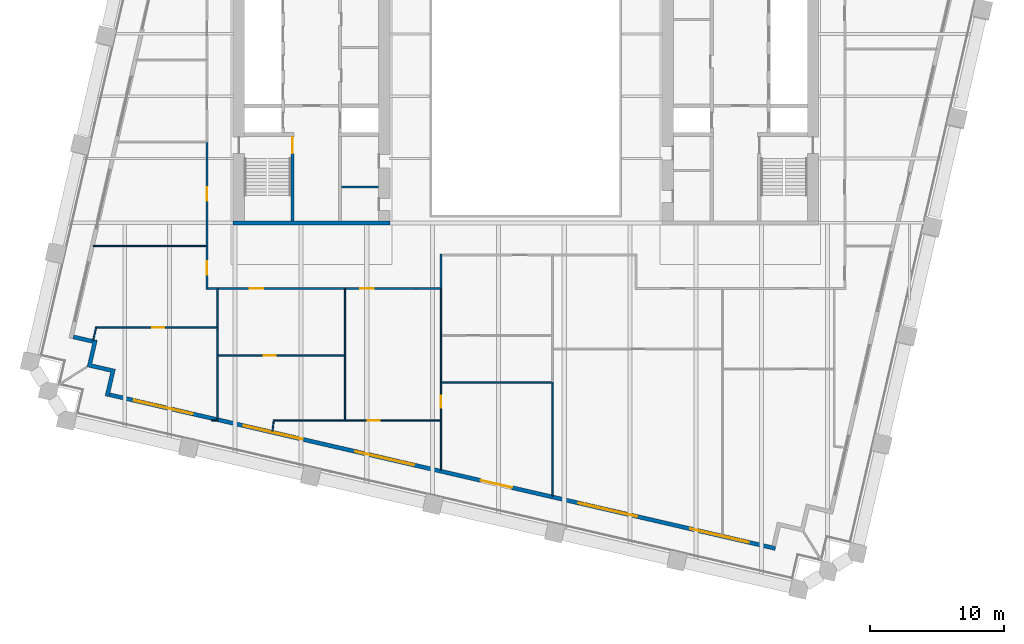
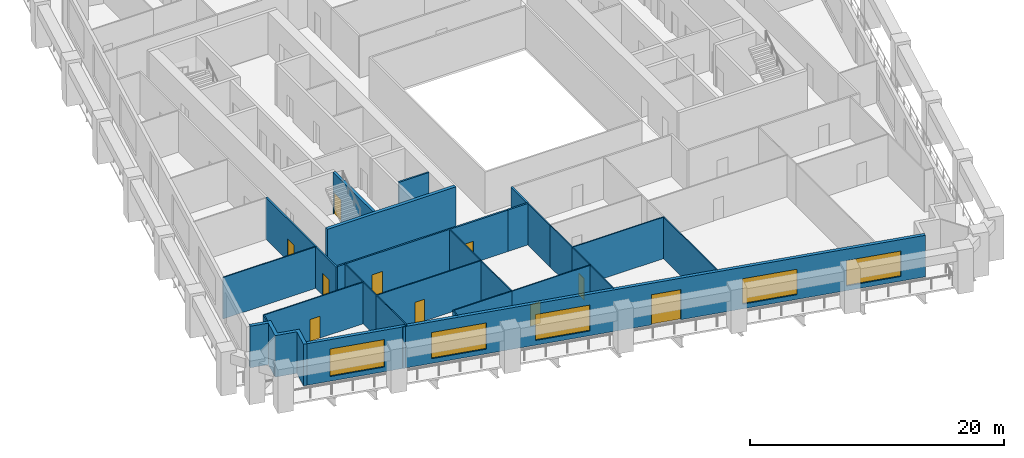
# One storey, part 4 of 12: 31 walls, 10 doors, 5 windows, 15 openings.
"""IFC4 building model written with IfcOpenShell, lengths in metres."""

from ifc_helpers import new_model, si_unit, direction, frame, frame_2d, origin, place, context, subcontext, project, spatial, polyline, rectangle, outline, extrude, material, layer, layer_set, type_object, element, fill, save


model = new_model("IFC4")

# Units and contexts
model_context = context("Model", 3, precision=1e-05, world=origin(), true_north=direction((0.0, 1.0)))
body_context = subcontext(model_context, "Body", "Model", "MODEL_VIEW")
ifc_project = project(units=[si_unit("LENGTHUNIT", "METRE"), si_unit("AREAUNIT", "SQUARE_METRE"), si_unit("VOLUMEUNIT", "CUBIC_METRE"), si_unit("PLANEANGLEUNIT", "RADIAN"), si_unit("MASSUNIT", "GRAM", prefix="KILO")], contexts=[model_context])

# Site, building, storey
site_placement = place(None, origin())
site = spatial("IfcSite", under=ifc_project, at=site_placement, CompositionType="ELEMENT")
building_placement = place(site_placement, origin())
building = spatial("IfcBuilding", under=site, at=building_placement, Name="Ogive Exchange Tower", CompositionType="ELEMENT")
storey_placement = place(building_placement, frame((0.0, 0.0, 139.199951171875)))
storey = spatial("IfcBuildingStorey", under=building, at=storey_placement, Name="L30", CompositionType="ELEMENT", Elevation=139.199951171875)

# Wall
ifc_material_1 = material(Name="Gypsum board partition")
ifc_layer_1 = layer(ifc_material_1, 0.14990234375)
ifc_layer_set_1 = layer_set([ifc_layer_1], Name="Core room partition 150 gypsum")
wall_type_1 = type_object("IfcWallType", Name="Core room partition 150 gypsum", PredefinedType="PARTITIONING", material=ifc_layer_set_1)
wall_1_placement = place(storey_placement, frame((-13.75, 0.10009765625, 0.0), z_axis=(0.0, 0.0, 1.0), x_axis=(1.0, 0.0, 0.0)))
element("IfcWall", 1, at=wall_1_placement, inside=storey, type_object=wall_type_1, Name="W south room partition", PredefinedType="PARTITIONING", context=body_context, shape_type="SweptSolid", body=[
    extrude(rectangle(XDim=2.75, YDim=0.14990234375, at=frame_2d((1.375, 0.0))), origin(), (0.0, 0.0, 1.0), 4.0),
])

# Wall, opening, door
ifc_material_2 = material(Name="Fire partition EI 60 150")
ifc_layer_2 = layer(ifc_material_2, 0.14990234375)
ifc_layer_set_2 = layer_set([ifc_layer_2], Name="Fire partition EI 60 150")
wall_type_2 = type_object("IfcWallType", Name="Fire partition EI 60 150", PredefinedType="PARTITIONING", material=ifc_layer_set_2)
wall_2_placement = place(storey_placement, frame((-23.800048828125, -7.574951171875, 0.0), z_axis=(0.0, 0.0, 1.0), x_axis=(0.0, 1.0, 0.0)))
wall_2 = element("IfcWall", 2, at=wall_2_placement, inside=storey, type_object=wall_type_2, Name="L30-PWL-003", PredefinedType="PARTITIONING", context=body_context, shape_type="SweptSolid", body=[
    extrude(rectangle(XDim=3.2548828125, YDim=0.14990234375, at=frame_2d((1.62744140625, 0.0))), origin(), (0.0, 0.0, 1.0), 4.0),
])
opening_1_placement = place(wall_2_placement, frame((1.10498046875, 0.0, 0.0)))
opening_1 = element("IfcOpeningElement", 3, at=opening_1_placement, cuts=wall_2, Name="Opening L30-I31", PredefinedType="OPENING", context=body_context, shape_type="SweptSolid", body=[
    extrude(rectangle(XDim=1.0, YDim=2.10009765625, at=frame_2d((0.5, 1.050048828125))), frame((0.0, 0.0849609375, 0.0), z_axis=(0.0, -1.0, 0.0), x_axis=(1.0, 0.0, 0.0)), (0.0, 0.0, 1.0), 0.169921875),
])
ifc_material_3 = material(Name="Fire door FD 30S 1000 x 2100")
door_type_1 = type_object("IfcDoorType", Name="Fire door FD 30S 1000 x 2100", OperationType="NOTDEFINED", PredefinedType="DOOR", material=ifc_material_3)
door_1_placement = place(opening_1_placement, origin())
door_1 = element("IfcDoor", 4, at=door_1_placement, inside=storey, type_object=door_type_1, Name="L30-IDR-031", ObjectType="DT3", OperationType="SINGLE_SWING_LEFT", OverallHeight=2.10009765625, OverallWidth=1.0, PredefinedType="DOOR", context=body_context, shape_type="SweptSolid", body=[
    extrude(rectangle(XDim=1.0, YDim=2.10009765625, at=frame_2d((0.5, 1.050048828125))), frame((0.0, 0.02490234375, 0.0), z_axis=(0.0, -1.0, 0.0), x_axis=(1.0, 0.0, 0.0)), (0.0, 0.0, 1.0), 0.050048828125),
])
fill(opening_1, door_1)

wall_3_placement = place(storey_placement, frame((-23.800048828125, -4.320068359375, 0.0), z_axis=(0.0, 0.0, 1.0), x_axis=(0.0, 1.0, 0.0)))
wall_3 = element("IfcWall", 5, at=wall_3_placement, inside=storey, type_object=wall_type_2, Name="L30-PWL-005", PredefinedType="PARTITIONING", context=body_context, shape_type="SweptSolid", body=[
    extrude(rectangle(XDim=7.820068359375, YDim=0.14990234375, at=frame_2d((3.91015625, 0.0))), origin(), (0.0, 0.0, 1.0), 4.0),
])
opening_2_placement = place(wall_3_placement, frame((3.3701171875, 0.0, 0.0)))
opening_2 = element("IfcOpeningElement", 6, at=opening_2_placement, cuts=wall_3, Name="Opening L30-I26", PredefinedType="OPENING", context=body_context, shape_type="SweptSolid", body=[
    extrude(rectangle(XDim=1.0, YDim=2.10009765625, at=frame_2d((0.5, 1.050048828125))), frame((0.0, 0.0849609375, 0.0), z_axis=(0.0, -1.0, 0.0), x_axis=(1.0, 0.0, 0.0)), (0.0, 0.0, 1.0), 0.169921875),
])
door_2_placement = place(opening_2_placement, origin())
door_2 = element("IfcDoor", 7, at=door_2_placement, inside=storey, type_object=door_type_1, Name="L30-IDR-026", ObjectType="DT3", OperationType="SINGLE_SWING_RIGHT", OverallHeight=2.10009765625, OverallWidth=1.0, PredefinedType="DOOR", context=body_context, shape_type="SweptSolid", body=[
    extrude(rectangle(XDim=1.0, YDim=2.10009765625, at=frame_2d((0.5, 1.050048828125))), frame((0.0, 0.02490234375, 0.0), z_axis=(0.0, -1.0, 0.0), x_axis=(1.0, 0.0, 0.0)), (0.0, 0.0, 1.0), 0.050048828125),
])
fill(opening_2, door_2)

# Wall
wall_4_placement = place(storey_placement, frame((-23.06005859375, -7.5, 0.0), z_axis=(0.0, 0.0, 1.0), x_axis=(-1.0, 0.0, 0.0)))
element("IfcWall", 8, at=wall_4_placement, inside=storey, type_object=wall_type_2, Name="L30-PWL-020", PredefinedType="PARTITIONING", context=body_context, shape_type="SweptSolid", body=[
    extrude(rectangle(XDim=0.6650390625, YDim=0.14990234375, at=frame_2d((0.33251953125, 0.0))), origin(), (0.0, 0.0, 1.0), 4.0),
])

# Wall, opening, door
wall_5_placement = place(storey_placement, frame((-13.550048828125, -7.5, 0.0), z_axis=(0.0, 0.0, 1.0), x_axis=(-1.0, 0.0, 0.0)))
wall_5 = element("IfcWall", 9, at=wall_5_placement, inside=storey, type_object=wall_type_2, Name="L30-PWL-034", PredefinedType="PARTITIONING", context=body_context, shape_type="SweptSolid", body=[
    extrude(rectangle(XDim=9.409912109375, YDim=0.14990234375, at=frame_2d((4.705078125, 0.0))), origin(), (0.0, 0.0, 1.0), 4.0),
])
opening_3_placement = place(wall_5_placement, frame((6.06005859375, 0.0, 0.0)))
opening_3 = element("IfcOpeningElement", 10, at=opening_3_placement, cuts=wall_5, Name="Opening L30-I30", PredefinedType="OPENING", context=body_context, shape_type="SweptSolid", body=[
    extrude(rectangle(XDim=1.0, YDim=2.10009765625, at=frame_2d((0.5, 1.050048828125))), frame((0.0, 0.0849609375, 0.0), z_axis=(0.0, -1.0, 0.0), x_axis=(1.0, 0.0, 0.0)), (0.0, 0.0, 1.0), 0.169921875),
])
door_3_placement = place(opening_3_placement, origin())
door_3 = element("IfcDoor", 11, at=door_3_placement, inside=storey, type_object=door_type_1, Name="L30-IDR-030", ObjectType="DT3", OperationType="SINGLE_SWING_LEFT", OverallHeight=2.10009765625, OverallWidth=1.0, PredefinedType="DOOR", context=body_context, shape_type="SweptSolid", body=[
    extrude(rectangle(XDim=1.0, YDim=2.10009765625, at=frame_2d((0.5, 1.050048828125))), frame((0.0, 0.02490234375, 0.0), z_axis=(0.0, -1.0, 0.0), x_axis=(1.0, 0.0, 0.0)), (0.0, 0.0, 1.0), 0.050048828125),
])
fill(opening_3, door_3)

wall_6_placement = place(storey_placement, frame((-8.199951171875, -7.5, 0.0), z_axis=(0.0, 0.0, 1.0), x_axis=(-1.0, 0.0, 0.0)))
wall_6 = element("IfcWall", 12, at=wall_6_placement, inside=storey, type_object=wall_type_2, Name="L30-PWL-035", PredefinedType="PARTITIONING", context=body_context, shape_type="SweptSolid", body=[
    extrude(rectangle(XDim=5.25, YDim=0.14990234375, at=frame_2d((2.625, 0.0))), origin(), (0.0, 0.0, 1.0), 4.0),
])
opening_4_placement = place(wall_6_placement, frame((3.14990234375, 0.0, 0.0)))
opening_4 = element("IfcOpeningElement", 13, at=opening_4_placement, cuts=wall_6, Name="Opening L30-I28", PredefinedType="OPENING", context=body_context, shape_type="SweptSolid", body=[
    extrude(rectangle(XDim=1.0, YDim=2.10009765625, at=frame_2d((0.5, 1.050048828125))), frame((0.0, 0.0849609375, 0.0), z_axis=(0.0, -1.0, 0.0), x_axis=(1.0, 0.0, 0.0)), (0.0, 0.0, 1.0), 0.169921875),
])
door_4_placement = place(opening_4_placement, origin())
door_4 = element("IfcDoor", 14, at=door_4_placement, inside=storey, type_object=door_type_1, Name="L30-IDR-028", ObjectType="DT3", OperationType="SINGLE_SWING_LEFT", OverallHeight=2.10009765625, OverallWidth=1.0, PredefinedType="DOOR", context=body_context, shape_type="SweptSolid", body=[
    extrude(rectangle(XDim=1.0, YDim=2.10009765625, at=frame_2d((0.5, 1.050048828125))), frame((0.0, 0.02490234375, 0.0), z_axis=(0.0, -1.0, 0.0), x_axis=(1.0, 0.0, 0.0)), (0.0, 0.0, 1.0), 0.050048828125),
])
fill(opening_4, door_4)

# Walls
wall_7_placement = place(storey_placement, frame((-6.389892578125, -7.489990234375, 0.0), z_axis=(0.0, 0.0, 1.0), x_axis=(-1.0, 0.0, 0.0)))
element("IfcWall", 15, at=wall_7_placement, inside=storey, type_object=wall_type_2, Name="L30-PWL-041", PredefinedType="PARTITIONING", context=body_context, shape_type="SweptSolid", body=[
    extrude(rectangle(XDim=1.81005859375, YDim=0.14990234375, at=frame_2d((0.905029296875, 0.0))), origin(), (0.0, 0.0, 1.0), 4.0),
])
wall_8_placement = place(storey_placement, frame((-6.340087890625, -4.925048828125, 0.0), z_axis=(0.0, 0.0, 1.0), x_axis=(0.0, -1.0, 0.0)))
element("IfcWall", 16, at=wall_8_placement, inside=storey, type_object=wall_type_2, Name="L30-PWL-042", PredefinedType="PARTITIONING", context=body_context, shape_type="SweptSolid", body=[
    extrude(rectangle(XDim=2.56494140625, YDim=0.14990234375, at=frame_2d((1.282470703125, 0.0))), origin(), (0.0, 0.0, 1.0), 4.0),
])

# Wall, openings, door, windows
ifc_material_4 = material(Name="Precast concrete C40/50", Category="concrete")
ifc_layer_3 = layer(ifc_material_4, 0.300048828125)
ifc_layer_set_3 = layer_set([ifc_layer_3], Name="Limestone-faced wall 300")
wall_type_3 = type_object("IfcWallType", Name="Limestone-faced wall 300", PredefinedType="STANDARD", material=ifc_layer_set_3)
wall_9_placement = place(storey_placement, frame((-31.07763671875, -15.4208984375, 0.0), z_axis=(0.0, 0.0, 1.0), x_axis=(0.974370456532, -0.224949357493, 0.0)))
wall_9 = element("IfcWall", 17, at=wall_9_placement, inside=storey, type_object=wall_type_3, Name="External wall S1", PredefinedType="STANDARD", context=body_context, shape_type="SweptSolid", body=[
    extrude(rectangle(XDim=51.0, YDim=0.300048828125, at=frame_2d((25.5, 0.0))), origin(), (0.0, 0.0, 1.0), 4.0),
])
opening_5_placement = place(wall_9_placement, frame((1.875, 0.0, 0.449951171875)))
opening_5 = element("IfcOpeningElement", 18, at=opening_5_placement, cuts=wall_9, Name="Opening W1K", PredefinedType="OPENING", context=body_context, shape_type="SweptSolid", body=[
    extrude(rectangle(XDim=4.5, YDim=2.64990234375, at=frame_2d((2.25, 1.324951171875))), frame((0.0, 0.159912109375, 0.0), z_axis=(0.0, -1.0, 0.0), x_axis=(1.0, 0.0, 0.0)), (0.0, 0.0, 1.0), 0.320068359375),
])
opening_6_placement = place(wall_9_placement, frame((10.27490234375, 0.0, 0.449951171875)))
opening_6 = element("IfcOpeningElement", 19, at=opening_6_placement, cuts=wall_9, Name="Opening W1N", PredefinedType="OPENING", context=body_context, shape_type="SweptSolid", body=[
    extrude(rectangle(XDim=4.5, YDim=2.52490234375, at=frame_2d((2.25, 1.262451171875))), frame((0.0, 0.159912109375, 0.0), z_axis=(0.0, -1.0, 0.0), x_axis=(1.0, 0.0, 0.0)), (0.0, 0.0, 1.0), 0.320068359375),
])
opening_7_placement = place(wall_9_placement, frame((18.824951171875, 0.0, 0.449951171875)))
opening_7 = element("IfcOpeningElement", 20, at=opening_7_placement, cuts=wall_9, Name="Opening W1O", PredefinedType="OPENING", context=body_context, shape_type="SweptSolid", body=[
    extrude(rectangle(XDim=4.5, YDim=2.5, at=frame_2d((2.25, 1.25))), frame((0.0, 0.159912109375, 0.0), z_axis=(0.0, -1.0, 0.0), x_axis=(1.0, 0.0, 0.0)), (0.0, 0.0, 1.0), 0.320068359375),
])
opening_8_placement = place(wall_9_placement, frame((28.425048828125, 0.0, 0.0)))
opening_8 = element("IfcOpeningElement", 21, at=opening_8_placement, cuts=wall_9, Name="Opening D1P", PredefinedType="OPENING", context=body_context, shape_type="SweptSolid", body=[
    extrude(rectangle(XDim=2.39990234375, YDim=2.89990234375, at=frame_2d((1.199951171875, 1.449951171875))), frame((0.0, 0.159912109375, 0.0), z_axis=(0.0, -1.0, 0.0), x_axis=(1.0, 0.0, 0.0)), (0.0, 0.0, 1.0), 0.320068359375),
])
opening_9_placement = place(wall_9_placement, frame((35.925048828125, 0.0, 0.449951171875)))
opening_9 = element("IfcOpeningElement", 22, at=opening_9_placement, cuts=wall_9, Name="Opening W1Q", PredefinedType="OPENING", context=body_context, shape_type="SweptSolid", body=[
    extrude(rectangle(XDim=4.5, YDim=2.449951171875, at=frame_2d((2.25, 1.22509765625))), frame((0.0, 0.159912109375, 0.0), z_axis=(0.0, -1.0, 0.0), x_axis=(1.0, 0.0, 0.0)), (0.0, 0.0, 1.0), 0.320068359375),
])
opening_10_placement = place(wall_9_placement, frame((44.47509765625, 0.0, 0.449951171875)))
opening_10 = element("IfcOpeningElement", 23, at=opening_10_placement, cuts=wall_9, Name="Opening W1Q", PredefinedType="OPENING", context=body_context, shape_type="SweptSolid", body=[
    extrude(rectangle(XDim=4.5, YDim=2.449951171875, at=frame_2d((2.25, 1.22509765625))), frame((0.0, 0.159912109375, 0.0), z_axis=(0.0, -1.0, 0.0), x_axis=(1.0, 0.0, 0.0)), (0.0, 0.0, 1.0), 0.320068359375),
])
ifc_material_5 = material(Name="Clear glass in bronze frame", Category="glass")
door_type_2 = type_object("IfcDoorType", Name="Sliding loggia door 2400 x 2900", OperationType="DOUBLE_DOOR_SLIDING", PredefinedType="DOOR", material=ifc_material_5)
door_5_placement = place(opening_8_placement, origin())
door_5 = element("IfcDoor", 24, at=door_5_placement, inside=storey, type_object=door_type_2, Name="Loggia door S03", OperationType="DOUBLE_DOOR_SLIDING", OverallHeight=2.89990234375, OverallWidth=2.39990234375, PredefinedType="DOOR", context=body_context, shape_type="SweptSolid", body=[
    extrude(rectangle(XDim=2.39990234375, YDim=2.89990234375, at=frame_2d((1.199951171875, 1.449951171875))), frame((0.0, 0.02490234375, 0.0), z_axis=(0.0, -1.0, 0.0), x_axis=(1.0, 0.0, 0.0)), (0.0, 0.0, 1.0), 0.050048828125),
])
fill(opening_8, door_5)
window_type_1 = type_object("IfcWindowType", Name="Twin lancet window 4500 x 2450", PartitioningType="DOUBLE_PANEL_VERTICAL", PredefinedType="WINDOW", material=ifc_material_5)
window_1_placement = place(opening_9_placement, origin())
window_1 = element("IfcWindow", 25, at=window_1_placement, inside=storey, type_object=window_type_1, Name="Window S04", OverallHeight=2.449951171875, OverallWidth=4.5, PartitioningType="DOUBLE_PANEL_VERTICAL", PredefinedType="WINDOW", context=body_context, shape_type="SweptSolid", body=[
    extrude(rectangle(XDim=4.5, YDim=2.449951171875, at=frame_2d((2.25, 1.22509765625))), frame((0.0, 0.030029296875, 0.0), z_axis=(0.0, -1.0, 0.0), x_axis=(1.0, 0.0, 0.0)), (0.0, 0.0, 1.0), 0.06005859375),
])
fill(opening_9, window_1)
window_2_placement = place(opening_10_placement, origin())
window_2 = element("IfcWindow", 26, at=window_2_placement, inside=storey, type_object=window_type_1, Name="Window S05", OverallHeight=2.449951171875, OverallWidth=4.5, PartitioningType="DOUBLE_PANEL_VERTICAL", PredefinedType="WINDOW", context=body_context, shape_type="SweptSolid", body=[
    extrude(rectangle(XDim=4.5, YDim=2.449951171875, at=frame_2d((2.25, 1.22509765625))), frame((0.0, 0.030029296875, 0.0), z_axis=(0.0, -1.0, 0.0), x_axis=(1.0, 0.0, 0.0)), (0.0, 0.0, 1.0), 0.06005859375),
])
fill(opening_10, window_2)
window_type_2 = type_object("IfcWindowType", Name="Twin lancet window 4500 x 2500", PartitioningType="DOUBLE_PANEL_VERTICAL", PredefinedType="WINDOW", material=ifc_material_5)
window_3_placement = place(opening_7_placement, origin())
window_3 = element("IfcWindow", 27, at=window_3_placement, inside=storey, type_object=window_type_2, Name="Window S02", OverallHeight=2.5, OverallWidth=4.5, PartitioningType="DOUBLE_PANEL_VERTICAL", PredefinedType="WINDOW", context=body_context, shape_type="SweptSolid", body=[
    extrude(rectangle(XDim=4.5, YDim=2.5, at=frame_2d((2.25, 1.25))), frame((0.0, 0.030029296875, 0.0), z_axis=(0.0, -1.0, 0.0), x_axis=(1.0, 0.0, 0.0)), (0.0, 0.0, 1.0), 0.06005859375),
])
fill(opening_7, window_3)
window_type_3 = type_object("IfcWindowType", Name="Twin lancet window 4500 x 2525", PartitioningType="DOUBLE_PANEL_VERTICAL", PredefinedType="WINDOW", material=ifc_material_5)
window_4_placement = place(opening_6_placement, origin())
window_4 = element("IfcWindow", 28, at=window_4_placement, inside=storey, type_object=window_type_3, Name="Window S01", OverallHeight=2.52490234375, OverallWidth=4.5, PartitioningType="DOUBLE_PANEL_VERTICAL", PredefinedType="WINDOW", context=body_context, shape_type="SweptSolid", body=[
    extrude(rectangle(XDim=4.5, YDim=2.52490234375, at=frame_2d((2.25, 1.262451171875))), frame((0.0, 0.030029296875, 0.0), z_axis=(0.0, -1.0, 0.0), x_axis=(1.0, 0.0, 0.0)), (0.0, 0.0, 1.0), 0.06005859375),
])
fill(opening_6, window_4)
window_type_4 = type_object("IfcWindowType", Name="Twin lancet window 4500 x 2650", PartitioningType="DOUBLE_PANEL_VERTICAL", PredefinedType="WINDOW", material=ifc_material_5)
window_5_placement = place(opening_5_placement, origin())
window_5 = element("IfcWindow", 29, at=window_5_placement, inside=storey, type_object=window_type_4, Name="Window S00", OverallHeight=2.64990234375, OverallWidth=4.5, PartitioningType="DOUBLE_PANEL_VERTICAL", PredefinedType="WINDOW", context=body_context, shape_type="SweptSolid", body=[
    extrude(rectangle(XDim=4.5, YDim=2.64990234375, at=frame_2d((2.25, 1.324951171875))), frame((0.0, 0.030029296875, 0.0), z_axis=(0.0, -1.0, 0.0), x_axis=(1.0, 0.0, 0.0)), (0.0, 0.0, 1.0), 0.06005859375),
])
fill(opening_5, window_5)

# Walls
wall_10_placement = place(storey_placement, origin())
element("IfcWall", 30, at=wall_10_placement, inside=storey, type_object=wall_type_3, Name="External corner wall C4", PredefinedType="STANDARD", context=body_context, shape_type="SweptSolid", body=[
    extrude(outline(polyline([(-32.392822265625, -13.115966796875), (-30.638916015625, -13.52099609375), (-31.111328125, -15.56689453125), (-31.40380859375, -15.49951171875), (-30.998779296875, -13.74560546875), (-32.752685546875, -13.3408203125), (-32.34765625, -11.5869140625), (-33.809326171875, -11.24951171875), (-33.74169921875, -10.957275390625), (-31.98779296875, -11.362060546875), (-32.392822265625, -13.115966796875)])), origin(), (0.0, 0.0, 1.0), 4.0),
])
ifc_material_6 = material(Name="Partition 100 gypsum")
ifc_layer_4 = layer(ifc_material_6, 0.10009765625)
ifc_layer_set_4 = layer_set([ifc_layer_4], Name="Partition 100 gypsum")
wall_type_4 = type_object("IfcWallType", Name="Partition 100 gypsum", PredefinedType="PARTITIONING", material=ifc_layer_set_4)
wall_11_placement = place(storey_placement, frame((-32.069091796875, -10.361083984375, 0.0), z_axis=(0.0, 0.0, 1.0), x_axis=(-0.222987762652, -0.974821243976, 0.0)))
element("IfcWall", 31, at=wall_11_placement, inside=storey, type_object=wall_type_4, Name="L30-PWL-001", PredefinedType="PARTITIONING", context=body_context, shape_type="SweptSolid", body=[
    extrude(rectangle(XDim=1.0576171875, YDim=0.10009765625, at=frame_2d((0.52880859375, 0.0))), origin(), (0.0, 0.0, 1.0), 4.0),
])
wall_12_placement = place(storey_placement, frame((-23.875, -4.320068359375, 0.0), z_axis=(0.0, 0.0, 1.0), x_axis=(-1.0, 0.0, 0.0)))
element("IfcWall", 32, at=wall_12_placement, inside=storey, type_object=wall_type_4, Name="L30-PWL-004", PredefinedType="PARTITIONING", context=body_context, shape_type="SweptSolid", body=[
    extrude(rectangle(XDim=8.4169921875, YDim=0.10009765625, at=frame_2d((4.20849609375, 0.0))), origin(), (0.0, 0.0, 1.0), 4.0),
])
wall_13_placement = place(storey_placement, frame((-23.429931640625, -17.340087890625, 0.0), z_axis=(0.0, 0.0, 1.0), x_axis=(1.0, 0.0, 0.0)))
element("IfcWall", 33, at=wall_13_placement, inside=storey, type_object=wall_type_4, Name="L30-PWL-014", PredefinedType="PARTITIONING", context=body_context, shape_type="SweptSolid", body=[
    extrude(rectangle(XDim=0.419921875, YDim=0.10009765625, at=frame_2d((0.2099609375, 0.0))), origin(), (0.0, 0.0, 1.0), 4.0),
])
wall_14_placement = place(storey_placement, frame((-23.010009765625, -17.2119140625, 0.0), z_axis=(0.0, 0.0, 1.0), x_axis=(0.0, 1.0, 0.0)))
element("IfcWall", 34, at=wall_14_placement, inside=storey, type_object=wall_type_4, Name="L30-PWL-015", PredefinedType="PARTITIONING", context=body_context, shape_type="SweptSolid", body=[
    extrude(rectangle(XDim=4.761962890625, YDim=0.10009765625, at=frame_2d((2.380859375, 0.0))), origin(), (0.0, 0.0, 1.0), 4.0),
])
wall_15_placement = place(storey_placement, frame((-23.010009765625, -12.449951171875, 0.0), z_axis=(0.0, 0.0, 1.0), x_axis=(0.0, 1.0, 0.0)))
element("IfcWall", 35, at=wall_15_placement, inside=storey, type_object=wall_type_4, Name="L30-PWL-016", PredefinedType="PARTITIONING", context=body_context, shape_type="SweptSolid", body=[
    extrude(rectangle(XDim=2.0400390625, YDim=0.10009765625, at=frame_2d((1.02001953125, 0.0))), origin(), (0.0, 0.0, 1.0), 4.0),
])

# Wall, opening, door
wall_16_placement = place(storey_placement, frame((-22.9599609375, -12.5, 0.0), z_axis=(0.0, 0.0, 1.0), x_axis=(1.0, 0.0, 0.0)))
wall_16 = element("IfcWall", 36, at=wall_16_placement, inside=storey, type_object=wall_type_4, Name="L30-PWL-017", PredefinedType="PARTITIONING", context=body_context, shape_type="SweptSolid", body=[
    extrude(rectangle(XDim=9.510009765625, YDim=0.10009765625, at=frame_2d((4.7548828125, 0.0))), origin(), (0.0, 0.0, 1.0), 4.0),
])
opening_11_placement = place(wall_16_placement, frame((3.39990234375, 0.0, 0.0)))
opening_11 = element("IfcOpeningElement", 37, at=opening_11_placement, cuts=wall_16, Name="Opening L30-I29", PredefinedType="OPENING", context=body_context, shape_type="SweptSolid", body=[
    extrude(rectangle(XDim=0.89990234375, YDim=2.10009765625, at=frame_2d((0.449951171875, 1.050048828125))), frame((0.0, 0.06005859375, 0.0), z_axis=(0.0, -1.0, 0.0), x_axis=(1.0, 0.0, 0.0)), (0.0, 0.0, 1.0), 0.1201171875),
])
ifc_material_7 = material(Name="Door 900 x 2100")
door_type_3 = type_object("IfcDoorType", Name="Door 900 x 2100", OperationType="NOTDEFINED", PredefinedType="DOOR", material=ifc_material_7)
door_6_placement = place(opening_11_placement, origin())
door_6 = element("IfcDoor", 38, at=door_6_placement, inside=storey, type_object=door_type_3, Name="L30-IDR-029", ObjectType="DT1", OperationType="SINGLE_SWING_RIGHT", OverallHeight=2.10009765625, OverallWidth=0.89990234375, PredefinedType="DOOR", context=body_context, shape_type="SweptSolid", body=[
    extrude(rectangle(XDim=0.89990234375, YDim=2.10009765625, at=frame_2d((0.449951171875, 1.050048828125))), frame((0.0, 0.02490234375, 0.0), z_axis=(0.0, -1.0, 0.0), x_axis=(1.0, 0.0, 0.0)), (0.0, 0.0, 1.0), 0.050048828125),
])
fill(opening_11, door_6)

wall_17_placement = place(storey_placement, frame((-23.06005859375, -10.409912109375, 0.0), z_axis=(0.0, 0.0, 1.0), x_axis=(-1.0, 0.0, 0.0)))
wall_17 = element("IfcWall", 39, at=wall_17_placement, inside=storey, type_object=wall_type_4, Name="L30-PWL-018", PredefinedType="PARTITIONING", context=body_context, shape_type="SweptSolid", body=[
    extrude(rectangle(XDim=8.969970703125, YDim=0.10009765625, at=frame_2d((4.48486328125, 0.0))), origin(), (0.0, 0.0, 1.0), 4.0),
])
opening_12_placement = place(wall_17_placement, frame((3.919921875, 0.0, 0.0)))
opening_12 = element("IfcOpeningElement", 40, at=opening_12_placement, cuts=wall_17, Name="Opening L30-I32", PredefinedType="OPENING", context=body_context, shape_type="SweptSolid", body=[
    extrude(rectangle(XDim=0.89990234375, YDim=2.10009765625, at=frame_2d((0.449951171875, 1.050048828125))), frame((0.0, 0.06005859375, 0.0), z_axis=(0.0, -1.0, 0.0), x_axis=(1.0, 0.0, 0.0)), (0.0, 0.0, 1.0), 0.1201171875),
])
door_7_placement = place(opening_12_placement, origin())
door_7 = element("IfcDoor", 41, at=door_7_placement, inside=storey, type_object=door_type_3, Name="L30-IDR-032", ObjectType="DT1", OperationType="SINGLE_SWING_RIGHT", OverallHeight=2.10009765625, OverallWidth=0.89990234375, PredefinedType="DOOR", context=body_context, shape_type="SweptSolid", body=[
    extrude(rectangle(XDim=0.89990234375, YDim=2.10009765625, at=frame_2d((0.449951171875, 1.050048828125))), frame((0.0, 0.02490234375, 0.0), z_axis=(0.0, -1.0, 0.0), x_axis=(1.0, 0.0, 0.0)), (0.0, 0.0, 1.0), 0.050048828125),
])
fill(opening_12, door_7)

# Walls
wall_18_placement = place(storey_placement, frame((-23.010009765625, -10.409912109375, 0.0), z_axis=(0.0, 0.0, 1.0), x_axis=(0.0, 1.0, 0.0)))
element("IfcWall", 42, at=wall_18_placement, inside=storey, type_object=wall_type_4, Name="L30-PWL-019", PredefinedType="PARTITIONING", context=body_context, shape_type="SweptSolid", body=[
    extrude(rectangle(XDim=2.98486328125, YDim=0.10009765625, at=frame_2d((1.492431640625, 0.0))), origin(), (0.0, 0.0, 1.0), 4.0),
])
wall_19_placement = place(storey_placement, frame((-18.9150390625, -18.156982421875, 0.0), z_axis=(0.0, 0.0, 1.0), x_axis=(0.11580251051, 0.993272258024, 0.0)))
element("IfcWall", 43, at=wall_19_placement, inside=storey, type_object=wall_type_4, Name="L30-PWL-021", PredefinedType="PARTITIONING", context=body_context, shape_type="SweptSolid", body=[
    extrude(rectangle(XDim=0.872802734375, YDim=0.10009765625, at=frame_2d((0.4365234375, 0.0))), origin(), (0.0, 0.0, 1.0), 4.0),
])
wall_20_placement = place(storey_placement, frame((-18.77001953125, -17.340087890625, 0.0), z_axis=(0.0, 0.0, 1.0), x_axis=(1.0, 0.0, 0.0)))
element("IfcWall", 44, at=wall_20_placement, inside=storey, type_object=wall_type_4, Name="L30-PWL-022", PredefinedType="PARTITIONING", context=body_context, shape_type="SweptSolid", body=[
    extrude(rectangle(XDim=5.27001953125, YDim=0.10009765625, at=frame_2d((2.635009765625, 0.0))), origin(), (0.0, 0.0, 1.0), 4.0),
])
wall_21_placement = place(storey_placement, frame((-13.5, -17.2900390625, 0.0), z_axis=(0.0, 0.0, 1.0), x_axis=(0.0, 1.0, 0.0)))
element("IfcWall", 45, at=wall_21_placement, inside=storey, type_object=wall_type_4, Name="L30-PWL-031", PredefinedType="PARTITIONING", context=body_context, shape_type="SweptSolid", body=[
    extrude(rectangle(XDim=4.739990234375, YDim=0.10009765625, at=frame_2d((2.3701171875, 0.0))), origin(), (0.0, 0.0, 1.0), 4.0),
])

# Wall, opening, door
wall_22_placement = place(storey_placement, frame((-13.5, -17.340087890625, 0.0), z_axis=(0.0, 0.0, 1.0), x_axis=(1.0, 0.0, 0.0)))
wall_22 = element("IfcWall", 46, at=wall_22_placement, inside=storey, type_object=wall_type_4, Name="L30-PWL-032", PredefinedType="PARTITIONING", context=body_context, shape_type="SweptSolid", body=[
    extrude(rectangle(XDim=7.2099609375, YDim=0.10009765625, at=frame_2d((3.60498046875, 0.0))), origin(), (0.0, 0.0, 1.0), 4.0),
])
opening_13_placement = place(wall_22_placement, frame((1.699951171875, 0.0, 0.0)))
opening_13 = element("IfcOpeningElement", 47, at=opening_13_placement, cuts=wall_22, Name="Opening L30-I27", PredefinedType="OPENING", context=body_context, shape_type="SweptSolid", body=[
    extrude(rectangle(XDim=0.89990234375, YDim=2.10009765625, at=frame_2d((0.449951171875, 1.050048828125))), frame((0.0, 0.06005859375, 0.0), z_axis=(0.0, -1.0, 0.0), x_axis=(1.0, 0.0, 0.0)), (0.0, 0.0, 1.0), 0.1201171875),
])
door_8_placement = place(opening_13_placement, frame((0.89990234375, 0.0, 0.0), z_axis=(0.0, 0.0, 1.0), x_axis=(-1.0, 0.0, 0.0)))
door_8 = element("IfcDoor", 48, at=door_8_placement, inside=storey, type_object=door_type_3, Name="L30-IDR-027", ObjectType="DT1", OperationType="SINGLE_SWING_LEFT", OverallHeight=2.10009765625, OverallWidth=0.89990234375, PredefinedType="DOOR", context=body_context, shape_type="SweptSolid", body=[
    extrude(rectangle(XDim=0.89990234375, YDim=2.10009765625, at=frame_2d((0.449951171875, 1.050048828125))), frame((0.0, 0.02490234375, 0.0), z_axis=(0.0, -1.0, 0.0), x_axis=(1.0, 0.0, 0.0)), (0.0, 0.0, 1.0), 0.050048828125),
])
fill(opening_13, door_8)

# Walls
wall_23_placement = place(storey_placement, frame((-13.5, -12.449951171875, 0.0), z_axis=(0.0, 0.0, 1.0), x_axis=(0.0, 1.0, 0.0)))
element("IfcWall", 49, at=wall_23_placement, inside=storey, type_object=wall_type_4, Name="L30-PWL-033", PredefinedType="PARTITIONING", context=body_context, shape_type="SweptSolid", body=[
    extrude(rectangle(XDim=5.02490234375, YDim=0.10009765625, at=frame_2d((2.512451171875, 0.0))), origin(), (0.0, 0.0, 1.0), 4.0),
])
wall_24_placement = place(storey_placement, frame((-6.340087890625, -21.06103515625, 0.0), z_axis=(0.0, 0.0, 1.0), x_axis=(0.0, 1.0, 0.0)))
element("IfcWall", 50, at=wall_24_placement, inside=storey, type_object=wall_type_4, Name="L30-PWL-037", PredefinedType="PARTITIONING", context=body_context, shape_type="SweptSolid", body=[
    extrude(rectangle(XDim=3.671142578125, YDim=0.10009765625, at=frame_2d((1.83544921875, 0.0))), origin(), (0.0, 0.0, 1.0), 4.0),
])

# Wall, opening, door
wall_25_placement = place(storey_placement, frame((-6.340087890625, -17.2900390625, 0.0), z_axis=(0.0, 0.0, 1.0), x_axis=(0.0, 1.0, 0.0)))
wall_25 = element("IfcWall", 51, at=wall_25_placement, inside=storey, type_object=wall_type_4, Name="L30-PWL-038", PredefinedType="PARTITIONING", context=body_context, shape_type="SweptSolid", body=[
    extrude(rectangle(XDim=2.739990234375, YDim=0.10009765625, at=frame_2d((1.3701171875, 0.0))), origin(), (0.0, 0.0, 1.0), 4.0),
])
opening_14_placement = place(wall_25_placement, frame((0.89990234375, 0.0, 0.0)))
opening_14 = element("IfcOpeningElement", 52, at=opening_14_placement, cuts=wall_25, Name="Opening L30-I03", PredefinedType="OPENING", context=body_context, shape_type="SweptSolid", body=[
    extrude(rectangle(XDim=0.89990234375, YDim=2.10009765625, at=frame_2d((0.449951171875, 1.050048828125))), frame((0.0, 0.06005859375, 0.0), z_axis=(0.0, -1.0, 0.0), x_axis=(1.0, 0.0, 0.0)), (0.0, 0.0, 1.0), 0.1201171875),
])
door_9_placement = place(opening_14_placement, frame((0.89990234375, 0.0, 0.0), z_axis=(0.0, 0.0, 1.0), x_axis=(-1.0, 0.0, 0.0)))
door_9 = element("IfcDoor", 53, at=door_9_placement, inside=storey, type_object=door_type_3, Name="L30-IDR-003", ObjectType="DT1", OperationType="SINGLE_SWING_RIGHT", OverallHeight=2.10009765625, OverallWidth=0.89990234375, PredefinedType="DOOR", context=body_context, shape_type="SweptSolid", body=[
    extrude(rectangle(XDim=0.89990234375, YDim=2.10009765625, at=frame_2d((0.449951171875, 1.050048828125))), frame((0.0, 0.02490234375, 0.0), z_axis=(0.0, -1.0, 0.0), x_axis=(1.0, 0.0, 0.0)), (0.0, 0.0, 1.0), 0.050048828125),
])
fill(opening_14, door_9)

# Walls
wall_26_placement = place(storey_placement, frame((-6.340087890625, -14.550048828125, 0.0), z_axis=(0.0, 0.0, 1.0), x_axis=(0.0, 1.0, 0.0)))
element("IfcWall", 54, at=wall_26_placement, inside=storey, type_object=wall_type_4, Name="L30-PWL-039", PredefinedType="PARTITIONING", context=body_context, shape_type="SweptSolid", body=[
    extrude(rectangle(XDim=3.5, YDim=0.10009765625, at=frame_2d((1.75, 0.0))), origin(), (0.0, 0.0, 1.0), 4.0),
])
wall_27_placement = place(storey_placement, frame((-6.340087890625, -11.050048828125, 0.0), z_axis=(0.0, 0.0, 1.0), x_axis=(0.0, 1.0, 0.0)))
element("IfcWall", 55, at=wall_27_placement, inside=storey, type_object=wall_type_4, Name="L30-PWL-040", PredefinedType="PARTITIONING", context=body_context, shape_type="SweptSolid", body=[
    extrude(rectangle(XDim=3.56005859375, YDim=0.10009765625, at=frame_2d((1.780029296875, 0.0))), origin(), (0.0, 0.0, 1.0), 4.0),
])
wall_28_placement = place(storey_placement, frame((2.0400390625, -14.5, 0.0), z_axis=(0.0, 0.0, 1.0), x_axis=(-1.0, 0.0, 0.0)))
element("IfcWall", 56, at=wall_28_placement, inside=storey, type_object=wall_type_4, Name="L30-PWL-050", PredefinedType="PARTITIONING", context=body_context, shape_type="SweptSolid", body=[
    extrude(rectangle(XDim=8.330078125, YDim=0.10009765625, at=frame_2d((4.1650390625, 0.0))), origin(), (0.0, 0.0, 1.0), 4.0),
])
wall_29_placement = place(storey_placement, frame((1.989990234375, -14.550048828125, 0.0), z_axis=(0.0, 0.0, 1.0), x_axis=(0.0, -1.0, 0.0)))
element("IfcWall", 57, at=wall_29_placement, inside=storey, type_object=wall_type_4, Name="L30-PWL-051", PredefinedType="PARTITIONING", context=body_context, shape_type="SweptSolid", body=[
    extrude(rectangle(XDim=8.433837890625, YDim=0.10009765625, at=frame_2d((4.216796875, 0.0))), origin(), (0.0, 0.0, 1.0), 4.0),
])

# Wall, opening, door
ifc_material_8 = material(Name="Concrete C70/85", Category="concrete")
ifc_layer_5 = layer(ifc_material_8, 0.25)
ifc_layer_set_5 = layer_set([ifc_layer_5], Name="RC core wall 250 C70/85")
wall_type_5 = type_object("IfcWallType", Name="RC core wall 250 C70/85", PredefinedType="SHEAR", material=ifc_layer_set_5)
wall_30_placement = place(storey_placement, frame((-17.425048828125, -2.449951171875, 0.0), z_axis=(0.0, 0.0, 1.0), x_axis=(0.0, 1.0, 0.0)))
wall_30 = element("IfcWall", 58, at=wall_30_placement, inside=storey, type_object=wall_type_5, Name="W stair S front wall", PredefinedType="SHEAR", context=body_context, shape_type="SweptSolid", body=[
    extrude(rectangle(XDim=6.300048828125, YDim=0.25, at=frame_2d((3.14990234375, 0.0))), origin(), (0.0, 0.0, 1.0), 4.0),
])
opening_15_placement = place(wall_30_placement, frame((5.050048828125, 0.0, 0.0)))
opening_15 = element("IfcOpeningElement", 59, at=opening_15_placement, cuts=wall_30, Name="Opening L30-C14", PredefinedType="OPENING", context=body_context, shape_type="SweptSolid", body=[
    extrude(rectangle(XDim=1.199951171875, YDim=2.10009765625, at=frame_2d((0.60009765625, 1.050048828125))), frame((0.0, 0.135009765625, 0.0), z_axis=(0.0, -1.0, 0.0), x_axis=(1.0, 0.0, 0.0)), (0.0, 0.0, 1.0), 0.27001953125),
])
ifc_material_9 = material(Name="Steel fire door", Category="steel")
door_type_4 = type_object("IfcDoorType", Name="Stair door FD90 1200 x 2100", OperationType="NOTDEFINED", PredefinedType="DOOR", material=ifc_material_9)
door_10_placement = place(opening_15_placement, origin())
door_10 = element("IfcDoor", 60, at=door_10_placement, inside=storey, type_object=door_type_4, Name="Stair door", ObjectType="CD5", OperationType="SINGLE_SWING_LEFT", OverallHeight=2.10009765625, OverallWidth=1.199951171875, PredefinedType="DOOR", context=body_context, shape_type="SweptSolid", body=[
    extrude(rectangle(XDim=1.199951171875, YDim=2.10009765625, at=frame_2d((0.60009765625, 1.050048828125))), frame((0.0, 0.02490234375, 0.0), z_axis=(0.0, -1.0, 0.0), x_axis=(1.0, 0.0, 0.0)), (0.0, 0.0, 1.0), 0.050048828125),
])
fill(opening_15, door_10)

# Wall
ifc_layer_6 = layer(ifc_material_8, 0.300048828125)
ifc_layer_set_6 = layer_set([ifc_layer_6], Name="RC core wall 300 C70/85")
wall_type_6 = type_object("IfcWallType", Name="RC core wall 300 C70/85", PredefinedType="SHEAR", material=ifc_layer_set_6)
wall_31_placement = place(storey_placement, frame((-21.85009765625, -2.60009765625, 0.0), z_axis=(0.0, 0.0, 1.0), x_axis=(1.0, 0.0, 0.0)))
element("IfcWall", 61, at=wall_31_placement, inside=storey, type_object=wall_type_6, Name="W south end wall", PredefinedType="SHEAR", context=body_context, shape_type="SweptSolid", body=[
    extrude(rectangle(XDim=11.7001953125, YDim=0.300048828125, at=frame_2d((5.85009765625, 0.0))), origin(), (0.0, 0.0, 1.0), 4.0),
])

save(model, "model.ifc")
